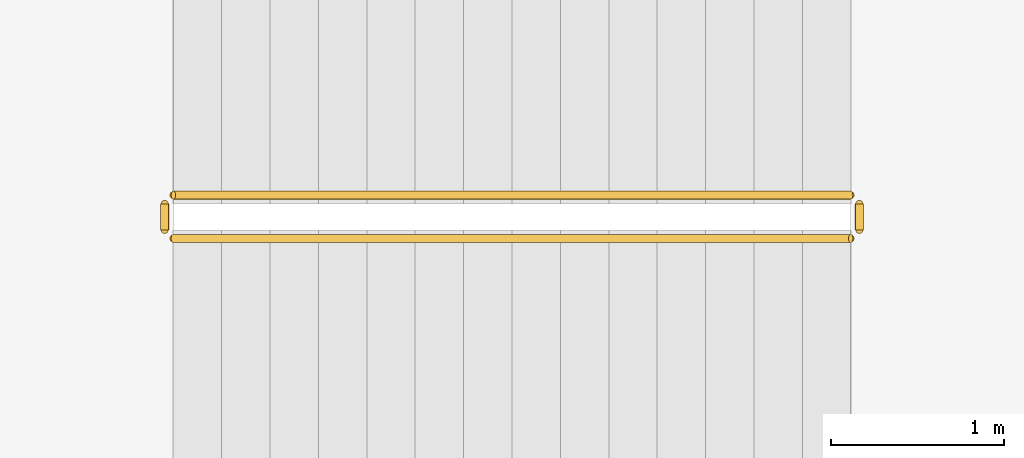
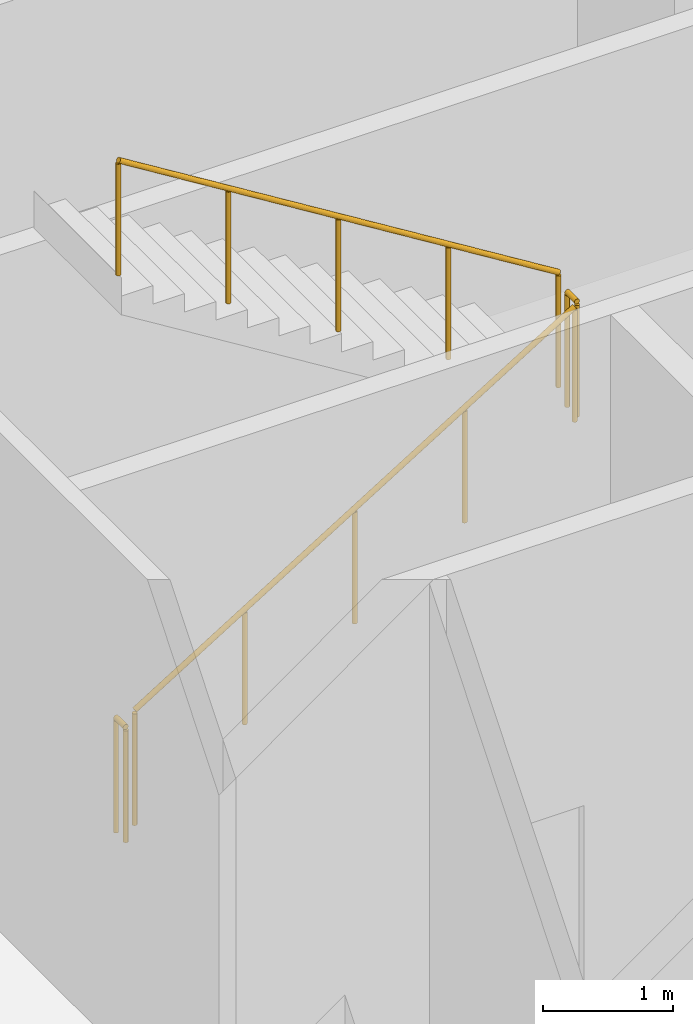
# One storey, part 21 of 25: 4 railings.
"""IFC4 building model written with IfcOpenShell, lengths in metres."""

from ifc_helpers import new_model, si_unit, direction, frame, origin, origin_2d, place, context, subcontext, project, spatial, circle, extrude, material, type_object, element, save


model = new_model("IFC4")

# Units and contexts
model_context = context("Model", 3, precision=1e-05, world=origin(), true_north=direction((0.0, 1.0)))
body_context = subcontext(model_context, "Body", "Model", "MODEL_VIEW")
ifc_project = project(units=[si_unit("LENGTHUNIT", "METRE"), si_unit("AREAUNIT", "SQUARE_METRE"), si_unit("VOLUMEUNIT", "CUBIC_METRE"), si_unit("PLANEANGLEUNIT", "RADIAN"), si_unit("MASSUNIT", "GRAM", prefix="KILO")], contexts=[model_context])

# Site, building, storey
site_placement = place(None, origin())
site = spatial("IfcSite", under=ifc_project, at=site_placement, CompositionType="ELEMENT")
building_placement = place(site_placement, origin())
building = spatial("IfcBuilding", under=site, at=building_placement, Name="Kawkab Arch Medical Tower", CompositionType="ELEMENT")
storey_placement = place(building_placement, frame((0.0, 0.0, 29.0)))
storey = spatial("IfcBuildingStorey", under=building, at=storey_placement, Name="L06", CompositionType="ELEMENT", Elevation=29.0)

# Railings
ifc_material = material(Name="Stainless steel", Category="steel")
railing_type = type_object("IfcRailingType", Name="Stair guard 1100", PredefinedType="GUARDRAIL", material=ifc_material)
railing_1_placement = place(storey_placement, frame((1.800048828125, -36.14990234375, 0.17333984375)))
element("IfcRailing", 1, at=railing_1_placement, inside=storey, type_object=railing_type, Name="L06 ST6 stair guard 1", PredefinedType="GUARDRAIL", context=body_context, shape_type="SweptSolid", body=[
    extrude(circle(Radius=0.02392578125, at=origin_2d()), frame((0.0, 0.0, 1.076171875), z_axis=(0.850251603719, 0.0, 0.526376491091), x_axis=(0.0, 1.0, 0.0)), (0.0, 0.0, 1.0), 4.6103515625),
    extrude(circle(Radius=0.02099609375, at=origin_2d()), origin(), (0.0, 0.0, 1.0), 1.052001953125),
    extrude(circle(Radius=0.02099609375, at=origin_2d()), frame((0.97998046875, 0.0, 0.606689453125)), (0.0, 0.0, 1.0), 1.052001953125),
    extrude(circle(Radius=0.02099609375, at=origin_2d()), frame((1.9599609375, 0.0, 1.21337890625)), (0.0, 0.0, 1.0), 1.052001953125),
    extrude(circle(Radius=0.02099609375, at=origin_2d()), frame((2.93994140625, 0.0, 1.820068359375)), (0.0, 0.0, 1.0), 1.052001953125),
    extrude(circle(Radius=0.02099609375, at=origin_2d()), frame((3.919921875, 0.0, 2.4267578125)), (0.0, 0.0, 1.0), 1.052001953125),
])
railing_2_placement = place(storey_placement, frame((5.77001953125, -36.10009765625, 2.60009765625)))
element("IfcRailing", 2, at=railing_2_placement, inside=storey, type_object=railing_type, Name="L06 ST6 stair guard 2", PredefinedType="GUARDRAIL", context=body_context, shape_type="SweptSolid", body=[
    extrude(circle(Radius=0.02392578125, at=origin_2d()), frame((0.0, 0.0, 1.076171875), z_axis=(0.0, 1.0, 0.0), x_axis=(-1.0, 0.0, 0.0)), (0.0, 0.0, 1.0), 0.150146484375),
    extrude(circle(Radius=0.02099609375, at=origin_2d()), origin(), (0.0, 0.0, 1.0), 1.052001953125),
    extrude(circle(Radius=0.02099609375, at=origin_2d()), frame((0.0, 0.150146484375, 0.0)), (0.0, 0.0, 1.0), 1.052001953125),
])
railing_3_placement = place(storey_placement, frame((5.719970703125, -35.89990234375, 2.7734375)))
element("IfcRailing", 3, at=railing_3_placement, inside=storey, type_object=railing_type, Name="L06 ST6 stair guard 3", PredefinedType="GUARDRAIL", context=body_context, shape_type="SweptSolid", body=[
    extrude(circle(Radius=0.02392578125, at=origin_2d()), frame((0.0, 0.0, 1.076171875), z_axis=(-0.850275303828, 0.0, 0.526338206574), x_axis=(0.0, -1.0, 0.0)), (0.0, 0.0, 1.0), 4.610107421875),
    extrude(circle(Radius=0.02099609375, at=origin_2d()), origin(), (0.0, 0.0, 1.0), 1.052001953125),
    extrude(circle(Radius=0.02099609375, at=origin_2d()), frame((-0.97998046875, 0.0, 0.606689453125)), (0.0, 0.0, 1.0), 1.052001953125),
    extrude(circle(Radius=0.02099609375, at=origin_2d()), frame((-1.9599609375, 0.0, 1.21337890625)), (0.0, 0.0, 1.0), 1.052001953125),
    extrude(circle(Radius=0.02099609375, at=origin_2d()), frame((-2.93994140625, 0.0, 1.81982421875)), (0.0, 0.0, 1.0), 1.052001953125),
    extrude(circle(Radius=0.02099609375, at=origin_2d()), frame((-3.919921875, 0.0, 2.426513671875)), (0.0, 0.0, 1.0), 1.052001953125),
])
railing_4_placement = place(storey_placement, frame((1.75, -36.10009765625, 0.0)))
element("IfcRailing", 4, at=railing_4_placement, inside=storey, type_object=railing_type, Name="L06 ST6 stair guard 4", PredefinedType="GUARDRAIL", context=body_context, shape_type="SweptSolid", body=[
    extrude(circle(Radius=0.02392578125, at=origin_2d()), frame((0.0, 0.0, 1.076171875), z_axis=(0.0, 1.0, 0.0), x_axis=(-1.0, 0.0, 0.0)), (0.0, 0.0, 1.0), 0.150146484375),
    extrude(circle(Radius=0.02099609375, at=origin_2d()), origin(), (0.0, 0.0, 1.0), 1.052001953125),
    extrude(circle(Radius=0.02099609375, at=origin_2d()), frame((0.0, 0.150146484375, 0.0)), (0.0, 0.0, 1.0), 1.052001953125),
])

save(model, "model.ifc")
